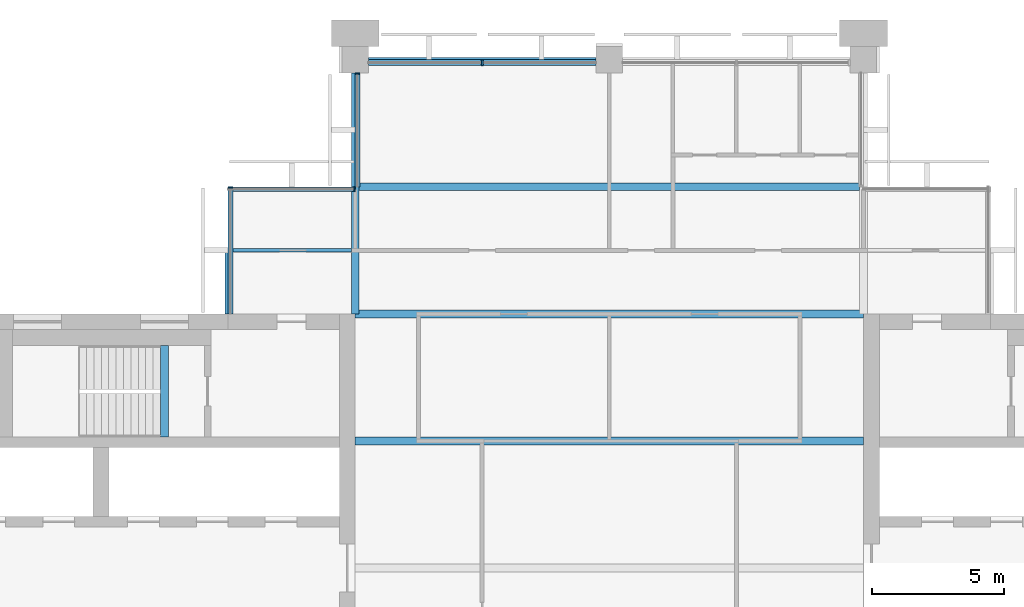
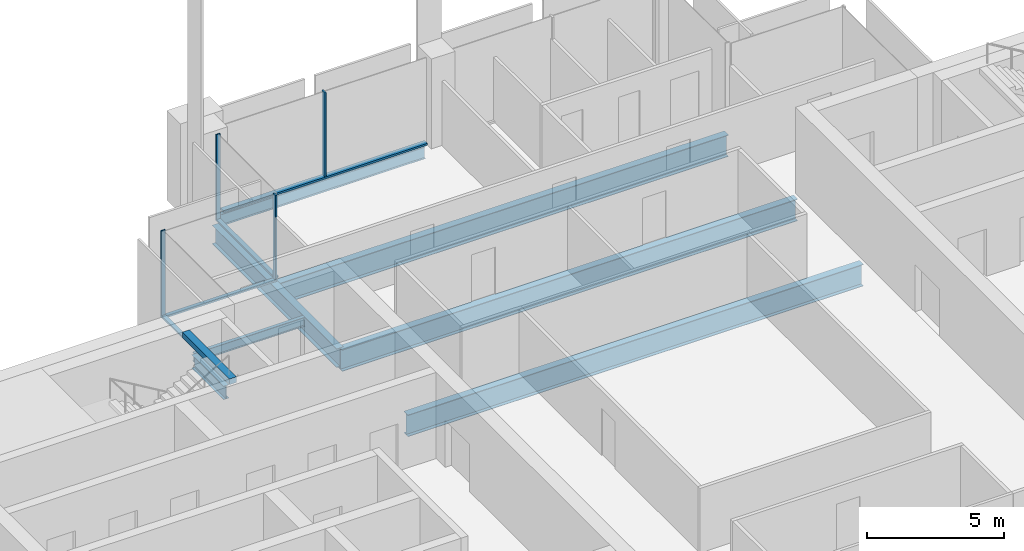
# One storey, part 5 of 13: 8 beams, 8 members, 4 elements without a shape of their own.
"""IFC4 building model written with IfcOpenShell, lengths in metres."""

from ifc_helpers import new_model, si_unit, direction, frame, origin, origin_2d, place, context, subcontext, project, spatial, rectangle, i_section, extrude, material, material_profile, profile_set, type_object, element, aggregate, save


model = new_model("IFC4")

# Units and contexts
model_context = context("Model", 3, precision=1e-05, world=origin(), true_north=direction((0.0, 1.0)))
body_context = subcontext(model_context, "Body", "Model", "MODEL_VIEW")
ifc_project = project(units=[si_unit("LENGTHUNIT", "METRE"), si_unit("AREAUNIT", "SQUARE_METRE"), si_unit("VOLUMEUNIT", "CUBIC_METRE"), si_unit("PLANEANGLEUNIT", "RADIAN"), si_unit("MASSUNIT", "GRAM", prefix="KILO")], contexts=[model_context])

# Site, building, storey
site_placement = place(None, origin())
site = spatial("IfcSite", under=ifc_project, at=site_placement, CompositionType="ELEMENT")
building_placement = place(site_placement, origin())
building = spatial("IfcBuilding", under=site, at=building_placement, Name="Baori Bourse Tower", CompositionType="ELEMENT")
storey_placement = place(building_placement, frame((0.0, 0.0, 330.300048828125)))
storey = spatial("IfcBuildingStorey", under=building, at=storey_placement, Name="L73", CompositionType="ELEMENT", Elevation=330.300048828125)

# Curtain wall, member
ifc_material_1 = material(Name="Pale anodised aluminium", Category="aluminium")
curtain_wall_type_1 = type_object("IfcCurtainWallType", Name="CW2 Curtain wall", PredefinedType="NOTDEFINED", material=ifc_material_1)
curtain_wall_1_placement = place(storey_placement, origin())
curtain_wall_1 = element("IfcCurtainWall", 1, at=curtain_wall_1_placement, inside=storey, type_object=curtain_wall_type_1, Name="Curtain wall CW2 L73 5", PredefinedType="NOTDEFINED")
ifc_material_2 = material(Name="Pale anodised aluminium", Category="aluminium")
ifc_material_profile_1 = material_profile(ifc_material_2, rectangle(XDim=0.179931640625, YDim=0.054931640625, at=origin_2d()), Name="Mullion 55x180")
ifc_profile_set_1 = profile_set([ifc_material_profile_1], Name="Pale anodised aluminium")
member_type_1 = type_object("IfcMemberType", Name="CW2 Curtain wall mullion", PredefinedType="MULLION", material=ifc_profile_set_1)
member_1_placement = place(storey_placement, frame((19.2900390625, 47.472412109375, 0.070068359375), z_axis=(0.0, 0.0, 1.0), x_axis=(1.0, 0.0, 0.0)))
member_1 = element("IfcMember", 2, at=member_1_placement, type_object=member_type_1, Name="Curtain wall CW2 mullion", PredefinedType="MULLION", context=body_context, shape_type="SweptSolid", body=[
    extrude(rectangle(XDim=0.179931640625, YDim=0.054931640625, at=origin_2d()), origin(), (0.0, 0.0, 1.0), 3.769775390625),
])

curtain_wall_2_placement = place(storey_placement, origin())
curtain_wall_2 = element("IfcCurtainWall", 3, at=curtain_wall_2_placement, inside=storey, type_object=curtain_wall_type_1, Name="Curtain wall CW2 L73 6", PredefinedType="NOTDEFINED")
member_2_placement = place(storey_placement, frame((19.172607421875, 43.110107421875, 0.070068359375), z_axis=(0.0, 0.0, 1.0), x_axis=(0.0, -1.0, 0.0)))
member_2 = element("IfcMember", 4, at=member_2_placement, type_object=member_type_1, Name="Curtain wall CW2 mullion", PredefinedType="MULLION", context=body_context, shape_type="SweptSolid", body=[
    extrude(rectangle(XDim=0.179931640625, YDim=0.054931640625, at=origin_2d()), origin(), (0.0, 0.0, 1.0), 3.769775390625),
])

curtain_wall_3_placement = place(storey_placement, origin())
curtain_wall_3 = element("IfcCurtainWall", 5, at=curtain_wall_3_placement, inside=storey, type_object=curtain_wall_type_1, Name="Curtain wall CW2 L73 7", PredefinedType="NOTDEFINED")
member_3_placement = place(storey_placement, frame((14.489990234375, 43.172607421875, 0.070068359375), z_axis=(0.0, 0.0, 1.0), x_axis=(1.0, 0.0, 0.0)))
member_3 = element("IfcMember", 6, at=member_3_placement, type_object=member_type_1, Name="Curtain wall CW2 mullion", PredefinedType="MULLION", context=body_context, shape_type="SweptSolid", body=[
    extrude(rectangle(XDim=0.179931640625, YDim=0.054931640625, at=origin_2d()), origin(), (0.0, 0.0, 1.0), 3.769775390625),
])

# Member
ifc_material_3 = material(Name="Pale anodised aluminium", Category="aluminium")
ifc_material_profile_2 = material_profile(ifc_material_3, rectangle(XDim=0.179931640625, YDim=0.070068359375, at=origin_2d()), Name="Transom 70x180")
ifc_profile_set_2 = profile_set([ifc_material_profile_2], Name="Pale anodised aluminium")
member_type_2 = type_object("IfcMemberType", Name="CW2 Curtain wall transom", PredefinedType="USERDEFINED", material=ifc_profile_set_2)
member_4_placement = place(storey_placement, frame((19.2900390625, 47.5, 0.034912109375), z_axis=(0.0, -1.0, 0.0), x_axis=(1.0, 0.0, 0.0)))
member_4 = element("IfcMember", 7, at=member_4_placement, type_object=member_type_2, Name="Curtain wall CW2 sill rail", ObjectType="TRANSOM", PredefinedType="USERDEFINED", context=body_context, shape_type="SweptSolid", body=[
    extrude(rectangle(XDim=0.179931640625, YDim=0.070068359375, at=origin_2d()), origin(), (0.0, 0.0, 1.0), 4.300048828125),
])

aggregate(curtain_wall_1, [member_4, member_1])

member_5_placement = place(storey_placement, frame((19.199951171875, 43.110107421875, 0.034912109375), z_axis=(-1.0, 0.0, 0.0), x_axis=(0.0, -1.0, 0.0)))
member_5 = element("IfcMember", 8, at=member_5_placement, type_object=member_type_2, Name="Curtain wall CW2 sill rail", ObjectType="TRANSOM", PredefinedType="USERDEFINED", context=body_context, shape_type="SweptSolid", body=[
    extrude(rectangle(XDim=0.179931640625, YDim=0.070068359375, at=origin_2d()), origin(), (0.0, 0.0, 1.0), 4.800048828125),
])

aggregate(curtain_wall_2, [member_5, member_2])

member_6_placement = place(storey_placement, frame((14.489990234375, 43.199951171875, 0.034912109375), z_axis=(0.0, -1.0, 0.0), x_axis=(1.0, 0.0, 0.0)))
member_6 = element("IfcMember", 9, at=member_6_placement, type_object=member_type_2, Name="Curtain wall CW2 sill rail", ObjectType="TRANSOM", PredefinedType="USERDEFINED", context=body_context, shape_type="SweptSolid", body=[
    extrude(rectangle(XDim=0.179931640625, YDim=0.070068359375, at=origin_2d()), origin(), (0.0, 0.0, 1.0), 4.800048828125),
])

aggregate(curtain_wall_3, [member_6, member_3])

# Curtain wall, members
ifc_material_4 = material(Name="Pale anodised aluminium", Category="aluminium")
curtain_wall_type_2 = type_object("IfcCurtainWallType", Name="CW5 Curtain wall", PredefinedType="NOTDEFINED", material=ifc_material_4)
curtain_wall_4_placement = place(storey_placement, origin())
curtain_wall_4 = element("IfcCurtainWall", 10, at=curtain_wall_4_placement, inside=storey, type_object=curtain_wall_type_2, Name="Curtain wall CW5 L73 4", PredefinedType="NOTDEFINED")
ifc_material_5 = material(Name="Pale anodised aluminium", Category="aluminium")
ifc_material_profile_3 = material_profile(ifc_material_5, rectangle(XDim=0.219970703125, YDim=0.06494140625, at=origin_2d()), Name="Mullion 65x220")
ifc_profile_set_3 = profile_set([ifc_material_profile_3], Name="Pale anodised aluminium")
member_type_3 = type_object("IfcMemberType", Name="CW5 Curtain wall mullion", PredefinedType="MULLION", material=ifc_profile_set_3)
member_7_placement = place(storey_placement, frame((24.0, 47.889892578125, 0.0849609375), z_axis=(0.0, 0.0, 1.0), x_axis=(0.0, -1.0, 0.0)))
member_7 = element("IfcMember", 11, at=member_7_placement, type_object=member_type_3, Name="Curtain wall CW5 mullion", PredefinedType="MULLION", context=body_context, shape_type="SweptSolid", body=[
    extrude(rectangle(XDim=0.219970703125, YDim=0.06494140625, at=origin_2d()), origin(), (0.0, 0.0, 1.0), 3.7548828125),
])
ifc_material_6 = material(Name="Pale anodised aluminium", Category="aluminium")
ifc_material_profile_4 = material_profile(ifc_material_6, rectangle(XDim=0.219970703125, YDim=0.0849609375, at=origin_2d()), Name="Transom 85x220")
ifc_profile_set_4 = profile_set([ifc_material_profile_4], Name="Pale anodised aluminium")
member_type_4 = type_object("IfcMemberType", Name="CW5 Curtain wall transom", PredefinedType="USERDEFINED", material=ifc_profile_set_4)
member_8_placement = place(storey_placement, frame((28.300048828125, 47.889892578125, 0.04248046875), z_axis=(-1.0, 0.0, 0.0), x_axis=(0.0, -1.0, 0.0)))
member_8 = element("IfcMember", 12, at=member_8_placement, type_object=member_type_4, Name="Curtain wall CW5 sill rail", ObjectType="TRANSOM", PredefinedType="USERDEFINED", context=body_context, shape_type="SweptSolid", body=[
    extrude(rectangle(XDim=0.219970703125, YDim=0.0849609375, at=origin_2d()), origin(), (0.0, 0.0, 1.0), 8.60009765625),
])
aggregate(curtain_wall_4, [member_8, member_7])

# Beams
ifc_material_7 = material(Name="Steel A992 Gr 50", Category="steel")
ifc_material_profile_5 = material_profile(ifc_material_7, i_section(OverallWidth=0.227783203125, OverallDepth=0.60205078125, WebThickness=0.010498046875, FlangeThickness=0.014892578125, at=origin_2d()), Name="W24x68")
ifc_profile_set_5 = profile_set([ifc_material_profile_5], Name="Steel A992 Gr 50")
beam_type_1 = type_object("IfcBeamType", Name="Core bracket W24x68", PredefinedType="BEAM", material=ifc_profile_set_5)
beam_1_placement = place(storey_placement, frame((14.39990234375, 38.39990234375, -0.4609375), z_axis=(0.0, 1.0, 0.0), x_axis=(-1.0, 0.0, 0.0)))
element("IfcBeam", 13, at=beam_1_placement, inside=storey, type_object=beam_type_1, Name="Core bracket L73", PredefinedType="BEAM", context=body_context, shape_type="SweptSolid", body=[
    extrude(i_section(OverallWidth=0.227783203125, OverallDepth=0.60205078125, WebThickness=0.010498046875, FlangeThickness=0.014892578125, at=origin_2d()), origin(), (0.0, 0.0, 1.0), 2.329833984375),
])
ifc_material_8 = material(Name="Steel A992 Gr 50", Category="steel")
ifc_material_profile_6 = material_profile(ifc_material_8, i_section(OverallWidth=0.1650390625, OverallDepth=0.52587890625, WebThickness=0.0087890625, FlangeThickness=0.011474609375, at=origin_2d()), Name="W21x44")
ifc_profile_set_6 = profile_set([ifc_material_profile_6], Name="Steel A992 Gr 50")
beam_type_2 = type_object("IfcBeamType", Name="Edge beam W21x44", PredefinedType="BEAM", material=ifc_profile_set_6)
beam_2_placement = place(storey_placement, frame((19.699951171875, 48.0, -0.4228515625), z_axis=(1.0, 0.0, 0.0), x_axis=(0.0, 1.0, 0.0)))
element("IfcBeam", 14, at=beam_2_placement, inside=storey, type_object=beam_type_2, Name="Edge beam L73", PredefinedType="BEAM", context=body_context, shape_type="SweptSolid", body=[
    extrude(i_section(OverallWidth=0.1650390625, OverallDepth=0.52587890625, WebThickness=0.0087890625, FlangeThickness=0.011474609375, at=origin_2d()), origin(), (0.0, 0.0, 1.0), 8.60009765625),
])
ifc_material_9 = material(Name="Steel A992 Gr 50", Category="steel")
ifc_material_profile_7 = material_profile(ifc_material_9, i_section(OverallWidth=0.2998046875, OverallDepth=0.97021484375, WebThickness=0.01611328125, FlangeThickness=0.02099609375, at=origin_2d()), Name="W40x149")
ifc_profile_set_7 = profile_set([ifc_material_profile_7], Name="Steel A992 Gr 50")
beam_type_3 = type_object("IfcBeamType", Name="Floor beam W40x149", PredefinedType="BEAM", material=ifc_profile_set_7)
for number, where, z_axis, x_axis, name in (
    (15, (19.199951171875, 33.60009765625, -0.645263671875), (1.0, 0.0, 0.0), (0.0, 1.0, 0.0), "Floor beam L73"),
    (16, (19.199951171875, 38.39990234375, -0.645263671875), (1.0, 0.0, 0.0), (0.0, 1.0, 0.0), "Floor beam L73"),
):
    element("IfcBeam", number, at=place(storey_placement, frame(where, z_axis=z_axis, x_axis=x_axis)), inside=storey, type_object=beam_type_3, Name=name, PredefinedType="BEAM", context=body_context, shape_type="SweptSolid", body=[
        extrude(i_section(OverallWidth=0.2998046875, OverallDepth=0.97021484375, WebThickness=0.01611328125, FlangeThickness=0.02099609375, at=origin_2d()), origin(), (0.0, 0.0, 1.0), 19.199951171875),
    ])
beam_3_placement = place(storey_placement, frame((19.345947265625, 43.199951171875, -0.645263671875), z_axis=(1.0, 0.0, 0.0), x_axis=(0.0, 1.0, 0.0)))
element("IfcBeam", 17, at=beam_3_placement, inside=storey, type_object=beam_type_3, Name="Floor beam L73", PredefinedType="BEAM", context=body_context, shape_type="SweptSolid", body=[
    extrude(i_section(OverallWidth=0.2998046875, OverallDepth=0.97021484375, WebThickness=0.01611328125, FlangeThickness=0.02099609375, at=origin_2d()), origin(), (0.0, 0.0, 1.0), 18.907958984375),
])
ifc_material_10 = material(Name="Steel A992 Gr 50", Category="steel")
ifc_material_profile_8 = material_profile(ifc_material_10, i_section(OverallWidth=0.2919921875, OverallDepth=0.835693359375, WebThickness=0.013916015625, FlangeThickness=0.018798828125, at=origin_2d()), Name="W33x118")
ifc_profile_set_8 = profile_set([ifc_material_profile_8], Name="Steel A992 Gr 50")
beam_type_4 = type_object("IfcBeamType", Name="Girder W33x118", PredefinedType="BEAM", material=ifc_profile_set_8)
beam_4_placement = place(storey_placement, frame((19.199951171875, 38.39990234375, -0.577880859375), z_axis=(0.0, 1.0, 0.0), x_axis=(-1.0, 0.0, 0.0)))
element("IfcBeam", 18, at=beam_4_placement, inside=storey, type_object=beam_type_4, Name="Girder L73", PredefinedType="BEAM", context=body_context, shape_type="SweptSolid", body=[
    extrude(i_section(OverallWidth=0.2919921875, OverallDepth=0.835693359375, WebThickness=0.013916015625, FlangeThickness=0.018798828125, at=origin_2d()), origin(), (0.0, 0.0, 1.0), 9.10009765625),
])
ifc_material_11 = material(Name="Concrete f'c 50 MPa", Category="concrete")
ifc_material_profile_9 = material_profile(ifc_material_11, rectangle(XDim=0.300048828125, YDim=0.25, at=origin_2d()), Name="RC 300x250")
ifc_profile_set_9 = profile_set([ifc_material_profile_9], Name="Concrete f'c 50 MPa")
beam_type_5 = type_object("IfcBeamType", Name="Stair nib beam RC 300x250", PredefinedType="BEAM", material=ifc_profile_set_9)
beam_5_placement = place(storey_placement, frame((12.0, 33.75, 3.71484375), z_axis=(0.0, 1.0, 0.0), x_axis=(-1.0, 0.0, 0.0)))
element("IfcBeam", 19, at=beam_5_placement, inside=storey, type_object=beam_type_5, Name="Stair WB nib beam L74", PredefinedType="BEAM", context=body_context, shape_type="SweptSolid", body=[
    extrude(rectangle(XDim=0.300048828125, YDim=0.25, at=origin_2d()), origin(), (0.0, 0.0, 1.0), 3.449951171875),
])
ifc_material_12 = material(Name="Steel A992 Gr 50", Category="steel")
ifc_material_profile_10 = material_profile(ifc_material_12, i_section(OverallWidth=0.140380859375, OverallDepth=0.40380859375, WebThickness=0.007080078125, FlangeThickness=0.01123046875, at=origin_2d()), Name="W16x31")
ifc_profile_set_10 = profile_set([ifc_material_profile_10], Name="Steel A992 Gr 50")
beam_type_6 = type_object("IfcBeamType", Name="Trimmer beam W16x31", PredefinedType="BEAM", material=ifc_profile_set_10)
beam_6_placement = place(storey_placement, frame((14.39990234375, 40.800048828125, -0.362060546875), z_axis=(1.0, 0.0, 0.0), x_axis=(0.0, 1.0, 0.0)))
element("IfcBeam", 20, at=beam_6_placement, inside=storey, type_object=beam_type_6, Name="Trimmer beam L73", PredefinedType="BEAM", context=body_context, shape_type="SweptSolid", body=[
    extrude(i_section(OverallWidth=0.140380859375, OverallDepth=0.40380859375, WebThickness=0.007080078125, FlangeThickness=0.01123046875, at=origin_2d()), origin(), (0.0, 0.0, 1.0), 4.654052734375),
])

save(model, "model.ifc")
